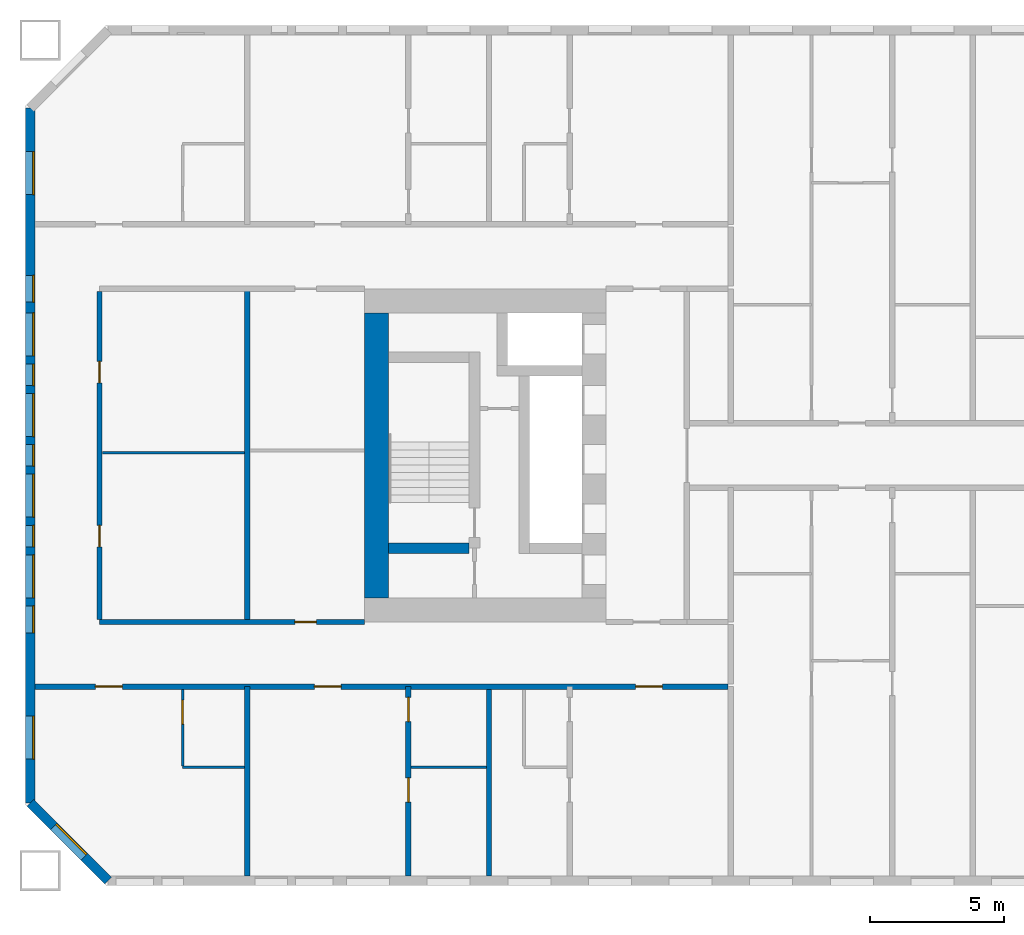
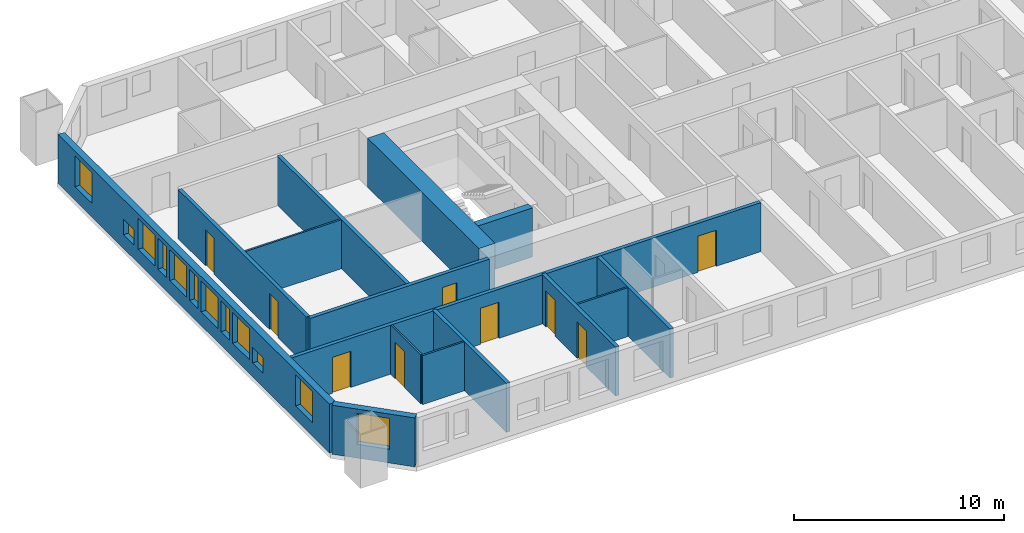
# One storey, part 2 of 17: 15 walls, 12 windows, 9 doors, 21 openings.
"""IFC4 building model written with IfcOpenShell, lengths in metres."""

from ifc_helpers import new_model, si_unit, direction, frame, frame_2d, origin, place, context, subcontext, project, spatial, rectangle, extrude, material, layer, layer_set, type_object, element, fill, save


model = new_model("IFC4")

# Units and contexts
model_context = context("Model", 3, precision=1e-05, world=origin(), true_north=direction((0.0, 1.0)))
body_context = subcontext(model_context, "Body", "Model", "MODEL_VIEW")
ifc_project = project(units=[si_unit("LENGTHUNIT", "METRE"), si_unit("AREAUNIT", "SQUARE_METRE"), si_unit("VOLUMEUNIT", "CUBIC_METRE"), si_unit("PLANEANGLEUNIT", "RADIAN"), si_unit("MASSUNIT", "GRAM", prefix="KILO")], contexts=[model_context])

# Site, building, storey
site_placement = place(None, origin())
site = spatial("IfcSite", under=ifc_project, at=site_placement, CompositionType="ELEMENT")
building_placement = place(site_placement, origin())
building = spatial("IfcBuilding", under=site, at=building_placement, Name="Tuart Gate Housing", CompositionType="ELEMENT")
storey_placement = place(building_placement, frame((0.0, 0.0, 22.60009765625)))
storey = spatial("IfcBuildingStorey", under=building, at=storey_placement, Name="L05", CompositionType="ELEMENT", Elevation=22.60009765625)

# Wall, opening, window
ifc_material_1 = material(Name="Brick", Category="masonry")
ifc_layer_1 = layer(ifc_material_1, 0.360107421875)
ifc_layer_set_1 = layer_set([ifc_layer_1], Name="Brick pier and spandrel wall 360")
wall_type_1 = type_object("IfcWallType", Name="Brick pier and spandrel wall 360", PredefinedType="STANDARD", material=ifc_layer_set_1)
wall_1_placement = place(storey_placement, frame((19.929931640625, 57.07470703125, 0.0), z_axis=(0.0, 0.0, 1.0), x_axis=(0.707106781187, -0.707106781187, 0.0)))
wall_1 = element("IfcWall", 1, at=wall_1_placement, inside=storey, type_object=wall_type_1, Name="External wall A-SW L05", PredefinedType="STANDARD", context=body_context, shape_type="SweptSolid", body=[
    extrude(rectangle(XDim=4.09375, YDim=0.360107421875, at=frame_2d((2.046875, 0.0))), origin(), (0.0, 0.0, 1.0), 2.849853515625),
])
opening_1_placement = place(wall_1_placement, frame((1.2470703125, 0.0, 0.800048828125)))
opening_1 = element("IfcOpeningElement", 2, at=opening_1_placement, cuts=wall_1, Name="Opening W1", PredefinedType="OPENING", context=body_context, shape_type="SweptSolid", body=[
    extrude(rectangle(XDim=1.60009765625, YDim=1.800048828125, at=frame_2d((0.800048828125, 0.89990234375))), frame((0.0, 0.18994140625, 0.0), z_axis=(0.0, -1.0, 0.0), x_axis=(1.0, 0.0, 0.0)), (0.0, 0.0, 1.0), 0.380126953125),
])
ifc_material_2 = material(Name="Aluminium frame with clear glass", Category="aluminium")
window_type_1 = type_object("IfcWindowType", Name="Punched window 1600 x 1800", PartitioningType="SINGLE_PANEL", PredefinedType="WINDOW", material=ifc_material_2)
window_1_placement = place(opening_1_placement, origin())
window_1 = element("IfcWindow", 3, at=window_1_placement, inside=storey, type_object=window_type_1, Name="Window W1", OverallHeight=1.800048828125, OverallWidth=1.60009765625, PartitioningType="SINGLE_PANEL", PredefinedType="WINDOW", context=body_context, shape_type="SweptSolid", body=[
    extrude(rectangle(XDim=1.60009765625, YDim=1.800048828125, at=frame_2d((0.800048828125, 0.89990234375))), frame((0.0, 0.150146484375, 0.0), z_axis=(0.0, -1.0, 0.0), x_axis=(1.0, 0.0, 0.0)), (0.0, 0.0, 1.0), 0.06005859375),
])
fill(opening_1, window_1)

# Wall, openings, windows
wall_2_placement = place(storey_placement, frame((19.929931640625, 82.92529296875, 0.0), z_axis=(0.0, 0.0, 1.0), x_axis=(0.0, -1.0, 0.0)))
wall_2 = element("IfcWall", 4, at=wall_2_placement, inside=storey, type_object=wall_type_1, Name="External wall A-W L05", PredefinedType="STANDARD", context=body_context, shape_type="SweptSolid", body=[
    extrude(rectangle(XDim=25.850830078125, YDim=0.360107421875, at=frame_2d((12.92529296875, 0.0))), origin(), (0.0, 0.0, 1.0), 2.849853515625),
])
opening_2_placement = place(wall_2_placement, frame((1.62548828125, 0.0, 0.800048828125)))
opening_2 = element("IfcOpeningElement", 5, at=opening_2_placement, cuts=wall_2, Name="Opening W1", PredefinedType="OPENING", context=body_context, shape_type="SweptSolid", body=[
    extrude(rectangle(XDim=1.60009765625, YDim=1.800048828125, at=frame_2d((0.800048828125, 0.89990234375))), frame((0.0, 0.18994140625, 0.0), z_axis=(0.0, -1.0, 0.0), x_axis=(1.0, 0.0, 0.0)), (0.0, 0.0, 1.0), 0.380126953125),
])
opening_3_placement = place(wall_2_placement, frame((6.225341796875, 0.0, 0.800048828125)))
opening_3 = element("IfcOpeningElement", 6, at=opening_3_placement, cuts=wall_2, Name="Opening W1U", PredefinedType="OPENING", context=body_context, shape_type="SweptSolid", body=[
    extrude(rectangle(XDim=1.0, YDim=0.89990234375, at=frame_2d((0.5, 0.449951171875))), frame((0.0, 0.18994140625, 0.0), z_axis=(0.0, -1.0, 0.0), x_axis=(1.0, 0.0, 0.0)), (0.0, 0.0, 1.0), 0.380126953125),
])
opening_4_placement = place(wall_2_placement, frame((7.62548828125, 0.0, 0.800048828125)))
opening_4 = element("IfcOpeningElement", 7, at=opening_4_placement, cuts=wall_2, Name="Opening W1", PredefinedType="OPENING", context=body_context, shape_type="SweptSolid", body=[
    extrude(rectangle(XDim=1.60009765625, YDim=1.800048828125, at=frame_2d((0.800048828125, 0.89990234375))), frame((0.0, 0.18994140625, 0.0), z_axis=(0.0, -1.0, 0.0), x_axis=(1.0, 0.0, 0.0)), (0.0, 0.0, 1.0), 0.380126953125),
])
opening_5_placement = place(wall_2_placement, frame((10.62548828125, 0.0, 0.800048828125)))
opening_5 = element("IfcOpeningElement", 8, at=opening_5_placement, cuts=wall_2, Name="Opening W1", PredefinedType="OPENING", context=body_context, shape_type="SweptSolid", body=[
    extrude(rectangle(XDim=1.60009765625, YDim=1.800048828125, at=frame_2d((0.800048828125, 0.89990234375))), frame((0.0, 0.18994140625, 0.0), z_axis=(0.0, -1.0, 0.0), x_axis=(1.0, 0.0, 0.0)), (0.0, 0.0, 1.0), 0.380126953125),
])
opening_6_placement = place(wall_2_placement, frame((13.62548828125, 0.0, 0.800048828125)))
opening_6 = element("IfcOpeningElement", 9, at=opening_6_placement, cuts=wall_2, Name="Opening W1", PredefinedType="OPENING", context=body_context, shape_type="SweptSolid", body=[
    extrude(rectangle(XDim=1.60009765625, YDim=1.800048828125, at=frame_2d((0.800048828125, 0.89990234375))), frame((0.0, 0.18994140625, 0.0), z_axis=(0.0, -1.0, 0.0), x_axis=(1.0, 0.0, 0.0)), (0.0, 0.0, 1.0), 0.380126953125),
])
opening_7_placement = place(wall_2_placement, frame((16.62548828125, 0.0, 0.800048828125)))
opening_7 = element("IfcOpeningElement", 10, at=opening_7_placement, cuts=wall_2, Name="Opening W1", PredefinedType="OPENING", context=body_context, shape_type="SweptSolid", body=[
    extrude(rectangle(XDim=1.60009765625, YDim=1.800048828125, at=frame_2d((0.800048828125, 0.89990234375))), frame((0.0, 0.18994140625, 0.0), z_axis=(0.0, -1.0, 0.0), x_axis=(1.0, 0.0, 0.0)), (0.0, 0.0, 1.0), 0.380126953125),
])
opening_8_placement = place(wall_2_placement, frame((9.525390625, 0.0, 0.800048828125)))
opening_8 = element("IfcOpeningElement", 11, at=opening_8_placement, cuts=wall_2, Name="Opening W1D", PredefinedType="OPENING", context=body_context, shape_type="SweptSolid", body=[
    extrude(rectangle(XDim=0.800048828125, YDim=1.800048828125, at=frame_2d((0.39990234375, 0.89990234375))), frame((0.0, 0.18994140625, 0.0), z_axis=(0.0, -1.0, 0.0), x_axis=(1.0, 0.0, 0.0)), (0.0, 0.0, 1.0), 0.380126953125),
])
opening_9_placement = place(wall_2_placement, frame((22.62548828125, 0.0, 0.800048828125)))
opening_9 = element("IfcOpeningElement", 12, at=opening_9_placement, cuts=wall_2, Name="Opening W1", PredefinedType="OPENING", context=body_context, shape_type="SweptSolid", body=[
    extrude(rectangle(XDim=1.60009765625, YDim=1.800048828125, at=frame_2d((0.800048828125, 0.89990234375))), frame((0.0, 0.18994140625, 0.0), z_axis=(0.0, -1.0, 0.0), x_axis=(1.0, 0.0, 0.0)), (0.0, 0.0, 1.0), 0.380126953125),
])
opening_10_placement = place(wall_2_placement, frame((12.525390625, 0.0, 0.800048828125)))
opening_10 = element("IfcOpeningElement", 13, at=opening_10_placement, cuts=wall_2, Name="Opening W1D", PredefinedType="OPENING", context=body_context, shape_type="SweptSolid", body=[
    extrude(rectangle(XDim=0.800048828125, YDim=1.800048828125, at=frame_2d((0.39990234375, 0.89990234375))), frame((0.0, 0.18994140625, 0.0), z_axis=(0.0, -1.0, 0.0), x_axis=(1.0, 0.0, 0.0)), (0.0, 0.0, 1.0), 0.380126953125),
])
opening_11_placement = place(wall_2_placement, frame((15.525390625, 0.0, 0.800048828125)))
opening_11 = element("IfcOpeningElement", 14, at=opening_11_placement, cuts=wall_2, Name="Opening W1D", PredefinedType="OPENING", context=body_context, shape_type="SweptSolid", body=[
    extrude(rectangle(XDim=0.800048828125, YDim=1.800048828125, at=frame_2d((0.39990234375, 0.89990234375))), frame((0.0, 0.18994140625, 0.0), z_axis=(0.0, -1.0, 0.0), x_axis=(1.0, 0.0, 0.0)), (0.0, 0.0, 1.0), 0.380126953125),
])
opening_12_placement = place(wall_2_placement, frame((18.525390625, 0.0, 0.800048828125)))
opening_12 = element("IfcOpeningElement", 15, at=opening_12_placement, cuts=wall_2, Name="Opening W1U", PredefinedType="OPENING", context=body_context, shape_type="SweptSolid", body=[
    extrude(rectangle(XDim=1.0, YDim=0.89990234375, at=frame_2d((0.5, 0.449951171875))), frame((0.0, 0.18994140625, 0.0), z_axis=(0.0, -1.0, 0.0), x_axis=(1.0, 0.0, 0.0)), (0.0, 0.0, 1.0), 0.380126953125),
])
ifc_material_3 = material(Name="Aluminium frame with clear glass", Category="aluminium")
window_type_2 = type_object("IfcWindowType", Name="Punched window 1000 x 900", PartitioningType="SINGLE_PANEL", PredefinedType="WINDOW", material=ifc_material_3)
window_2_placement = place(opening_3_placement, origin())
window_2 = element("IfcWindow", 16, at=window_2_placement, inside=storey, type_object=window_type_2, Name="Window W1U", OverallHeight=0.89990234375, OverallWidth=1.0, PartitioningType="SINGLE_PANEL", PredefinedType="WINDOW", context=body_context, shape_type="SweptSolid", body=[
    extrude(rectangle(XDim=1.0, YDim=0.89990234375, at=frame_2d((0.5, 0.449951171875))), frame((0.0, 0.150146484375, 0.0), z_axis=(0.0, -1.0, 0.0), x_axis=(1.0, 0.0, 0.0)), (0.0, 0.0, 1.0), 0.06005859375),
])
fill(opening_3, window_2)
window_3_placement = place(opening_12_placement, origin())
window_3 = element("IfcWindow", 17, at=window_3_placement, inside=storey, type_object=window_type_2, Name="Window W1U", OverallHeight=0.89990234375, OverallWidth=1.0, PartitioningType="SINGLE_PANEL", PredefinedType="WINDOW", context=body_context, shape_type="SweptSolid", body=[
    extrude(rectangle(XDim=1.0, YDim=0.89990234375, at=frame_2d((0.5, 0.449951171875))), frame((0.0, 0.150146484375, 0.0), z_axis=(0.0, -1.0, 0.0), x_axis=(1.0, 0.0, 0.0)), (0.0, 0.0, 1.0), 0.06005859375),
])
fill(opening_12, window_3)
window_4_placement = place(opening_2_placement, origin())
window_4 = element("IfcWindow", 18, at=window_4_placement, inside=storey, type_object=window_type_1, Name="Window W1", OverallHeight=1.800048828125, OverallWidth=1.60009765625, PartitioningType="SINGLE_PANEL", PredefinedType="WINDOW", context=body_context, shape_type="SweptSolid", body=[
    extrude(rectangle(XDim=1.60009765625, YDim=1.800048828125, at=frame_2d((0.800048828125, 0.89990234375))), frame((0.0, 0.150146484375, 0.0), z_axis=(0.0, -1.0, 0.0), x_axis=(1.0, 0.0, 0.0)), (0.0, 0.0, 1.0), 0.06005859375),
])
fill(opening_2, window_4)
window_5_placement = place(opening_4_placement, origin())
window_5 = element("IfcWindow", 19, at=window_5_placement, inside=storey, type_object=window_type_1, Name="Window W1", OverallHeight=1.800048828125, OverallWidth=1.60009765625, PartitioningType="SINGLE_PANEL", PredefinedType="WINDOW", context=body_context, shape_type="SweptSolid", body=[
    extrude(rectangle(XDim=1.60009765625, YDim=1.800048828125, at=frame_2d((0.800048828125, 0.89990234375))), frame((0.0, 0.150146484375, 0.0), z_axis=(0.0, -1.0, 0.0), x_axis=(1.0, 0.0, 0.0)), (0.0, 0.0, 1.0), 0.06005859375),
])
fill(opening_4, window_5)
window_6_placement = place(opening_5_placement, origin())
window_6 = element("IfcWindow", 20, at=window_6_placement, inside=storey, type_object=window_type_1, Name="Window W1", OverallHeight=1.800048828125, OverallWidth=1.60009765625, PartitioningType="SINGLE_PANEL", PredefinedType="WINDOW", context=body_context, shape_type="SweptSolid", body=[
    extrude(rectangle(XDim=1.60009765625, YDim=1.800048828125, at=frame_2d((0.800048828125, 0.89990234375))), frame((0.0, 0.150146484375, 0.0), z_axis=(0.0, -1.0, 0.0), x_axis=(1.0, 0.0, 0.0)), (0.0, 0.0, 1.0), 0.06005859375),
])
fill(opening_5, window_6)
window_7_placement = place(opening_6_placement, origin())
window_7 = element("IfcWindow", 21, at=window_7_placement, inside=storey, type_object=window_type_1, Name="Window W1", OverallHeight=1.800048828125, OverallWidth=1.60009765625, PartitioningType="SINGLE_PANEL", PredefinedType="WINDOW", context=body_context, shape_type="SweptSolid", body=[
    extrude(rectangle(XDim=1.60009765625, YDim=1.800048828125, at=frame_2d((0.800048828125, 0.89990234375))), frame((0.0, 0.150146484375, 0.0), z_axis=(0.0, -1.0, 0.0), x_axis=(1.0, 0.0, 0.0)), (0.0, 0.0, 1.0), 0.06005859375),
])
fill(opening_6, window_7)
window_8_placement = place(opening_7_placement, origin())
window_8 = element("IfcWindow", 22, at=window_8_placement, inside=storey, type_object=window_type_1, Name="Window W1", OverallHeight=1.800048828125, OverallWidth=1.60009765625, PartitioningType="SINGLE_PANEL", PredefinedType="WINDOW", context=body_context, shape_type="SweptSolid", body=[
    extrude(rectangle(XDim=1.60009765625, YDim=1.800048828125, at=frame_2d((0.800048828125, 0.89990234375))), frame((0.0, 0.150146484375, 0.0), z_axis=(0.0, -1.0, 0.0), x_axis=(1.0, 0.0, 0.0)), (0.0, 0.0, 1.0), 0.06005859375),
])
fill(opening_7, window_8)
window_9_placement = place(opening_9_placement, origin())
window_9 = element("IfcWindow", 23, at=window_9_placement, inside=storey, type_object=window_type_1, Name="Window W1", OverallHeight=1.800048828125, OverallWidth=1.60009765625, PartitioningType="SINGLE_PANEL", PredefinedType="WINDOW", context=body_context, shape_type="SweptSolid", body=[
    extrude(rectangle(XDim=1.60009765625, YDim=1.800048828125, at=frame_2d((0.800048828125, 0.89990234375))), frame((0.0, 0.150146484375, 0.0), z_axis=(0.0, -1.0, 0.0), x_axis=(1.0, 0.0, 0.0)), (0.0, 0.0, 1.0), 0.06005859375),
])
fill(opening_9, window_9)
ifc_material_4 = material(Name="Aluminium frame with clear glass", Category="aluminium")
window_type_3 = type_object("IfcWindowType", Name="Punched window 800 x 1800", PartitioningType="SINGLE_PANEL", PredefinedType="WINDOW", material=ifc_material_4)
window_10_placement = place(opening_8_placement, origin())
window_10 = element("IfcWindow", 24, at=window_10_placement, inside=storey, type_object=window_type_3, Name="Window W1D", OverallHeight=1.800048828125, OverallWidth=0.800048828125, PartitioningType="SINGLE_PANEL", PredefinedType="WINDOW", context=body_context, shape_type="SweptSolid", body=[
    extrude(rectangle(XDim=0.800048828125, YDim=1.800048828125, at=frame_2d((0.39990234375, 0.89990234375))), frame((0.0, 0.150146484375, 0.0), z_axis=(0.0, -1.0, 0.0), x_axis=(1.0, 0.0, 0.0)), (0.0, 0.0, 1.0), 0.06005859375),
])
fill(opening_8, window_10)
window_11_placement = place(opening_10_placement, origin())
window_11 = element("IfcWindow", 25, at=window_11_placement, inside=storey, type_object=window_type_3, Name="Window W1D", OverallHeight=1.800048828125, OverallWidth=0.800048828125, PartitioningType="SINGLE_PANEL", PredefinedType="WINDOW", context=body_context, shape_type="SweptSolid", body=[
    extrude(rectangle(XDim=0.800048828125, YDim=1.800048828125, at=frame_2d((0.39990234375, 0.89990234375))), frame((0.0, 0.150146484375, 0.0), z_axis=(0.0, -1.0, 0.0), x_axis=(1.0, 0.0, 0.0)), (0.0, 0.0, 1.0), 0.06005859375),
])
fill(opening_10, window_11)
window_12_placement = place(opening_11_placement, origin())
window_12 = element("IfcWindow", 26, at=window_12_placement, inside=storey, type_object=window_type_3, Name="Window W1D", OverallHeight=1.800048828125, OverallWidth=0.800048828125, PartitioningType="SINGLE_PANEL", PredefinedType="WINDOW", context=body_context, shape_type="SweptSolid", body=[
    extrude(rectangle(XDim=0.800048828125, YDim=1.800048828125, at=frame_2d((0.39990234375, 0.89990234375))), frame((0.0, 0.150146484375, 0.0), z_axis=(0.0, -1.0, 0.0), x_axis=(1.0, 0.0, 0.0)), (0.0, 0.0, 1.0), 0.06005859375),
])
fill(opening_11, window_12)

# Walls
ifc_material_5 = material(Name="Concrete C60", Category="concrete")
ifc_layer_2 = layer(ifc_material_5, 0.39990234375)
ifc_layer_set_2 = layer_set([ifc_layer_2], Name="Core wall 400 C60")
wall_type_2 = type_object("IfcWallType", Name="Core wall 400 C60", PredefinedType="SHEAR", material=ifc_layer_set_2)
wall_3_placement = place(storey_placement, frame((36.260009765625, 66.550048828125, 0.0), z_axis=(0.0, 0.0, 1.0), x_axis=(-1.0, 0.0, 0.0)))
element("IfcWall", 27, at=wall_3_placement, inside=storey, type_object=wall_type_2, Name="Core wall AK.5", PredefinedType="SHEAR", context=body_context, shape_type="SweptSolid", body=[
    extrude(rectangle(XDim=3.0, YDim=0.39990234375, at=frame_2d((1.5, 0.0))), origin(), (0.0, 0.0, 1.0), 2.849853515625),
])
ifc_material_6 = material(Name="Concrete C60", Category="concrete")
ifc_layer_3 = layer(ifc_material_6, 0.89990234375)
ifc_layer_set_3 = layer_set([ifc_layer_3], Name="Core wall 900 C60")
wall_type_3 = type_object("IfcWallType", Name="Core wall 900 C60", PredefinedType="SHEAR", material=ifc_layer_set_3)
wall_4_placement = place(storey_placement, frame((32.81005859375, 75.300048828125, 0.0), z_axis=(0.0, 0.0, 1.0), x_axis=(0.0, -1.0, 0.0)))
element("IfcWall", 28, at=wall_4_placement, inside=storey, type_object=wall_type_3, Name="Core wall AK back", PredefinedType="SHEAR", context=body_context, shape_type="SweptSolid", body=[
    extrude(rectangle(XDim=10.60009765625, YDim=0.89990234375, at=frame_2d((5.300048828125, 0.0))), origin(), (0.0, 0.0, 1.0), 2.849853515625),
])

# Wall, openings, doors
ifc_material_7 = material(Name="Concrete masonry 15 MPa", Category="masonry")
ifc_layer_4 = layer(ifc_material_7, 0.199951171875)
ifc_layer_set_4 = layer_set([ifc_layer_4], Name="Corridor wall masonry 200")
wall_type_4 = type_object("IfcWallType", Name="Corridor wall masonry 200", PredefinedType="PARTITIONING", material=ifc_layer_set_4)
wall_5_placement = place(storey_placement, frame((20.110107421875, 61.39990234375, 0.0), z_axis=(0.0, 0.0, 1.0), x_axis=(1.0, 0.0, 0.0)))
wall_5 = element("IfcWall", 29, at=wall_5_placement, inside=storey, type_object=wall_type_4, Name="Corridor wall masonry 200", PredefinedType="PARTITIONING", context=body_context, shape_type="SweptSolid", body=[
    extrude(rectangle(XDim=25.789794921875, YDim=0.199951171875, at=frame_2d((12.89501953125, 0.0))), origin(), (0.0, 0.0, 1.0), 2.849853515625),
])
opening_13_placement = place(wall_5_placement, frame((22.340087890625, 0.0, 0.0)))
opening_13 = element("IfcOpeningElement", 30, at=opening_13_placement, cuts=wall_5, Name="Opening D397", PredefinedType="OPENING", context=body_context, shape_type="SweptSolid", body=[
    extrude(rectangle(XDim=1.0, YDim=2.10009765625, at=frame_2d((0.5, 1.050048828125))), frame((0.0, 0.10986328125, 0.0), z_axis=(0.0, -1.0, 0.0), x_axis=(1.0, 0.0, 0.0)), (0.0, 0.0, 1.0), 0.219970703125),
])
opening_14_placement = place(wall_5_placement, frame((10.389892578125, 0.0, 0.0)))
opening_14 = element("IfcOpeningElement", 31, at=opening_14_placement, cuts=wall_5, Name="Opening D398", PredefinedType="OPENING", context=body_context, shape_type="SweptSolid", body=[
    extrude(rectangle(XDim=1.0, YDim=2.10009765625, at=frame_2d((0.5, 1.050048828125))), frame((0.0, 0.10986328125, 0.0), z_axis=(0.0, -1.0, 0.0), x_axis=(1.0, 0.0, 0.0)), (0.0, 0.0, 1.0), 0.219970703125),
])
opening_15_placement = place(wall_5_placement, frame((2.2451171875, 0.0, 0.0)))
opening_15 = element("IfcOpeningElement", 32, at=opening_15_placement, cuts=wall_5, Name="Opening D399", PredefinedType="OPENING", context=body_context, shape_type="SweptSolid", body=[
    extrude(rectangle(XDim=1.0, YDim=2.10009765625, at=frame_2d((0.5, 1.050048828125))), frame((0.0, 0.10986328125, 0.0), z_axis=(0.0, -1.0, 0.0), x_axis=(1.0, 0.0, 0.0)), (0.0, 0.0, 1.0), 0.219970703125),
])
ifc_material_8 = material(Name="Timber door leaf in steel frame", Category="steel")
door_type_1 = type_object("IfcDoorType", Name="Flat entrance door 1000 RH", OperationType="SINGLE_SWING_RIGHT", PredefinedType="DOOR", material=ifc_material_8)
door_1_placement = place(opening_13_placement, frame((1.0, 0.0, 0.0), z_axis=(0.0, 0.0, 1.0), x_axis=(-1.0, 0.0, 0.0)))
door_1 = element("IfcDoor", 33, at=door_1_placement, inside=storey, type_object=door_type_1, Name="Flat entrance door", OperationType="SINGLE_SWING_RIGHT", OverallHeight=2.10009765625, OverallWidth=1.0, PredefinedType="DOOR", context=body_context, shape_type="SweptSolid", body=[
    extrude(rectangle(XDim=1.0, YDim=2.10009765625, at=frame_2d((0.5, 1.050048828125))), frame((0.0, 0.025146484375, 0.0), z_axis=(0.0, -1.0, 0.0), x_axis=(1.0, 0.0, 0.0)), (0.0, 0.0, 1.0), 0.050048828125),
])
fill(opening_13, door_1)
door_2_placement = place(opening_14_placement, frame((1.0, 0.0, 0.0), z_axis=(0.0, 0.0, 1.0), x_axis=(-1.0, 0.0, 0.0)))
door_2 = element("IfcDoor", 34, at=door_2_placement, inside=storey, type_object=door_type_1, Name="Flat entrance door", OperationType="SINGLE_SWING_RIGHT", OverallHeight=2.10009765625, OverallWidth=1.0, PredefinedType="DOOR", context=body_context, shape_type="SweptSolid", body=[
    extrude(rectangle(XDim=1.0, YDim=2.10009765625, at=frame_2d((0.5, 1.050048828125))), frame((0.0, 0.025146484375, 0.0), z_axis=(0.0, -1.0, 0.0), x_axis=(1.0, 0.0, 0.0)), (0.0, 0.0, 1.0), 0.050048828125),
])
fill(opening_14, door_2)
door_3_placement = place(opening_15_placement, frame((1.0, 0.0, 0.0), z_axis=(0.0, 0.0, 1.0), x_axis=(-1.0, 0.0, 0.0)))
door_3 = element("IfcDoor", 35, at=door_3_placement, inside=storey, type_object=door_type_1, Name="Flat entrance door", OperationType="SINGLE_SWING_RIGHT", OverallHeight=2.10009765625, OverallWidth=1.0, PredefinedType="DOOR", context=body_context, shape_type="SweptSolid", body=[
    extrude(rectangle(XDim=1.0, YDim=2.10009765625, at=frame_2d((0.5, 1.050048828125))), frame((0.0, 0.025146484375, 0.0), z_axis=(0.0, -1.0, 0.0), x_axis=(1.0, 0.0, 0.0)), (0.0, 0.0, 1.0), 0.050048828125),
])
fill(opening_15, door_3)

# Wall, opening, door
wall_6_placement = place(storey_placement, frame((22.510009765625, 63.800048828125, 0.0), z_axis=(0.0, 0.0, 1.0), x_axis=(1.0, 0.0, 0.0)))
wall_6 = element("IfcWall", 36, at=wall_6_placement, inside=storey, type_object=wall_type_4, Name="Corridor wall masonry 200", PredefinedType="PARTITIONING", context=body_context, shape_type="SweptSolid", body=[
    extrude(rectangle(XDim=9.85009765625, YDim=0.199951171875, at=frame_2d((4.925048828125, 0.0))), origin(), (0.0, 0.0, 1.0), 2.849853515625),
])
opening_16_placement = place(wall_6_placement, frame((7.27001953125, 0.0, 0.0)))
opening_16 = element("IfcOpeningElement", 37, at=opening_16_placement, cuts=wall_6, Name="Opening D384", PredefinedType="OPENING", context=body_context, shape_type="SweptSolid", body=[
    extrude(rectangle(XDim=0.800048828125, YDim=2.10009765625, at=frame_2d((0.39990234375, 1.050048828125))), frame((0.0, 0.10986328125, 0.0), z_axis=(0.0, -1.0, 0.0), x_axis=(1.0, 0.0, 0.0)), (0.0, 0.0, 1.0), 0.219970703125),
])
ifc_material_9 = material(Name="Timber door leaf in steel frame", Category="steel")
door_type_2 = type_object("IfcDoorType", Name="Store door 800", OperationType="SINGLE_SWING_LEFT", PredefinedType="DOOR", material=ifc_material_9)
door_4_placement = place(opening_16_placement, origin())
door_4 = element("IfcDoor", 38, at=door_4_placement, inside=storey, type_object=door_type_2, Name="Store door", OperationType="SINGLE_SWING_LEFT", OverallHeight=2.10009765625, OverallWidth=0.800048828125, PredefinedType="DOOR", context=body_context, shape_type="SweptSolid", body=[
    extrude(rectangle(XDim=0.800048828125, YDim=2.10009765625, at=frame_2d((0.39990234375, 1.050048828125))), frame((0.0, 0.02490234375, 0.0), z_axis=(0.0, -1.0, 0.0), x_axis=(1.0, 0.0, 0.0)), (0.0, 0.0, 1.0), 0.050048828125),
])
fill(opening_16, door_4)

# Wall, openings, doors
wall_7_placement = place(storey_placement, frame((22.510009765625, 63.89990234375, 0.0), z_axis=(0.0, 0.0, 1.0), x_axis=(0.0, 1.0, 0.0)))
wall_7 = element("IfcWall", 39, at=wall_7_placement, inside=storey, type_object=wall_type_4, Name="Corridor wall masonry 200", PredefinedType="PARTITIONING", context=body_context, shape_type="SweptSolid", body=[
    extrude(rectangle(XDim=12.2001953125, YDim=0.199951171875, at=frame_2d((6.10009765625, 0.0))), origin(), (0.0, 0.0, 1.0), 2.849853515625),
])
opening_17_placement = place(wall_7_placement, frame((2.699951171875, 0.0, 0.0)))
opening_17 = element("IfcOpeningElement", 40, at=opening_17_placement, cuts=wall_7, Name="Opening D373", PredefinedType="OPENING", context=body_context, shape_type="SweptSolid", body=[
    extrude(rectangle(XDim=0.800048828125, YDim=2.10009765625, at=frame_2d((0.39990234375, 1.050048828125))), frame((0.0, 0.10986328125, 0.0), z_axis=(0.0, -1.0, 0.0), x_axis=(1.0, 0.0, 0.0)), (0.0, 0.0, 1.0), 0.219970703125),
])
opening_18_placement = place(wall_7_placement, frame((8.800048828125, 0.0, 0.0)))
opening_18 = element("IfcOpeningElement", 41, at=opening_18_placement, cuts=wall_7, Name="Opening D374", PredefinedType="OPENING", context=body_context, shape_type="SweptSolid", body=[
    extrude(rectangle(XDim=0.800048828125, YDim=2.10009765625, at=frame_2d((0.39990234375, 1.050048828125))), frame((0.0, 0.10986328125, 0.0), z_axis=(0.0, -1.0, 0.0), x_axis=(1.0, 0.0, 0.0)), (0.0, 0.0, 1.0), 0.219970703125),
])
door_5_placement = place(opening_17_placement, frame((0.800048828125, 0.0, 0.0), z_axis=(0.0, 0.0, 1.0), x_axis=(-1.0, 0.0, 0.0)))
door_5 = element("IfcDoor", 42, at=door_5_placement, inside=storey, type_object=door_type_2, Name="Store door", OperationType="SINGLE_SWING_LEFT", OverallHeight=2.10009765625, OverallWidth=0.800048828125, PredefinedType="DOOR", context=body_context, shape_type="SweptSolid", body=[
    extrude(rectangle(XDim=0.800048828125, YDim=2.10009765625, at=frame_2d((0.400146484375, 1.050048828125))), frame((0.0, 0.025146484375, 0.0), z_axis=(0.0, -1.0, 0.0), x_axis=(1.0, 0.0, 0.0)), (0.0, 0.0, 1.0), 0.050048828125),
])
fill(opening_17, door_5)
ifc_material_10 = material(Name="Timber door leaf in steel frame", Category="steel")
door_type_3 = type_object("IfcDoorType", Name="Store door 800 RH", OperationType="SINGLE_SWING_RIGHT", PredefinedType="DOOR", material=ifc_material_10)
door_6_placement = place(opening_18_placement, frame((0.800048828125, 0.0, 0.0), z_axis=(0.0, 0.0, 1.0), x_axis=(-1.0, 0.0, 0.0)))
door_6 = element("IfcDoor", 43, at=door_6_placement, inside=storey, type_object=door_type_3, Name="Store door", OperationType="SINGLE_SWING_RIGHT", OverallHeight=2.10009765625, OverallWidth=0.800048828125, PredefinedType="DOOR", context=body_context, shape_type="SweptSolid", body=[
    extrude(rectangle(XDim=0.800048828125, YDim=2.10009765625, at=frame_2d((0.400146484375, 1.050048828125))), frame((0.0, 0.025146484375, 0.0), z_axis=(0.0, -1.0, 0.0), x_axis=(1.0, 0.0, 0.0)), (0.0, 0.0, 1.0), 0.050048828125),
])
fill(opening_18, door_6)

# Walls
ifc_material_11 = material(Name="Gypsum board on steel studs", Category="steel")
ifc_layer_5 = layer(ifc_material_11, 0.10009765625)
ifc_layer_set_5 = layer_set([ifc_layer_5], Name="Partition 100")
wall_type_5 = type_object("IfcWallType", Name="Partition 100", PredefinedType="PARTITIONING", material=ifc_layer_set_5)
wall_8_placement = place(storey_placement, frame((25.60009765625, 58.39990234375, 0.0), z_axis=(0.0, 0.0, 1.0), x_axis=(1.0, 0.0, 0.0)))
element("IfcWall", 44, at=wall_8_placement, inside=storey, type_object=wall_type_5, Name="Partition 100", PredefinedType="PARTITIONING", context=body_context, shape_type="SweptSolid", body=[
    extrude(rectangle(XDim=2.2998046875, YDim=0.10009765625, at=frame_2d((1.14990234375, 0.0))), origin(), (0.0, 0.0, 1.0), 2.849853515625),
])
wall_9_placement = place(storey_placement, frame((34.10009765625, 58.39990234375, 0.0), z_axis=(0.0, 0.0, 1.0), x_axis=(1.0, 0.0, 0.0)))
element("IfcWall", 45, at=wall_9_placement, inside=storey, type_object=wall_type_5, Name="Partition 100", PredefinedType="PARTITIONING", context=body_context, shape_type="SweptSolid", body=[
    extrude(rectangle(XDim=2.7998046875, YDim=0.10009765625, at=frame_2d((1.39990234375, 0.0))), origin(), (0.0, 0.0, 1.0), 2.849853515625),
])
wall_10_placement = place(storey_placement, frame((22.610107421875, 70.10009765625, 0.0), z_axis=(0.0, 0.0, 1.0), x_axis=(1.0, 0.0, 0.0)))
element("IfcWall", 46, at=wall_10_placement, inside=storey, type_object=wall_type_5, Name="Partition 100", PredefinedType="PARTITIONING", context=body_context, shape_type="SweptSolid", body=[
    extrude(rectangle(XDim=5.289794921875, YDim=0.10009765625, at=frame_2d((2.64501953125, 0.0))), origin(), (0.0, 0.0, 1.0), 2.849853515625),
])

# Wall, opening, door
wall_11_placement = place(storey_placement, frame((25.60009765625, 58.449951171875, 0.0), z_axis=(0.0, 0.0, 1.0), x_axis=(0.0, 1.0, 0.0)))
wall_11 = element("IfcWall", 47, at=wall_11_placement, inside=storey, type_object=wall_type_5, Name="Partition 100", PredefinedType="PARTITIONING", context=body_context, shape_type="SweptSolid", body=[
    extrude(rectangle(XDim=2.85009765625, YDim=0.10009765625, at=frame_2d((1.425048828125, 0.0))), origin(), (0.0, 0.0, 1.0), 2.849853515625),
])
opening_19_placement = place(wall_11_placement, frame((1.550048828125, 0.0, 0.0)))
opening_19 = element("IfcOpeningElement", 48, at=opening_19_placement, cuts=wall_11, Name="Opening D402", PredefinedType="OPENING", context=body_context, shape_type="SweptSolid", body=[
    extrude(rectangle(XDim=0.89990234375, YDim=2.10009765625, at=frame_2d((0.449951171875, 1.050048828125))), frame((0.0, 0.06005859375, 0.0), z_axis=(0.0, -1.0, 0.0), x_axis=(1.0, 0.0, 0.0)), (0.0, 0.0, 1.0), 0.1201171875),
])
ifc_material_12 = material(Name="Timber door leaf in steel frame", Category="steel")
door_type_4 = type_object("IfcDoorType", Name="Bathroom door 900", OperationType="SINGLE_SWING_LEFT", PredefinedType="DOOR", material=ifc_material_12)
door_7_placement = place(opening_19_placement, frame((0.89990234375, 0.0, 0.0), z_axis=(0.0, 0.0, 1.0), x_axis=(-1.0, 0.0, 0.0)))
door_7 = element("IfcDoor", 49, at=door_7_placement, inside=storey, type_object=door_type_4, Name="Bathroom door", OperationType="SINGLE_SWING_LEFT", OverallHeight=2.10009765625, OverallWidth=0.89990234375, PredefinedType="DOOR", context=body_context, shape_type="SweptSolid", body=[
    extrude(rectangle(XDim=0.89990234375, YDim=2.10009765625, at=frame_2d((0.449951171875, 1.050048828125))), frame((0.0, 0.025146484375, 0.0), z_axis=(0.0, -1.0, 0.0), x_axis=(1.0, 0.0, 0.0)), (0.0, 0.0, 1.0), 0.050048828125),
])
fill(opening_19, door_7)

# Walls
ifc_material_13 = material(Name="Concrete C40", Category="concrete")
ifc_layer_6 = layer(ifc_material_13, 0.199951171875)
ifc_layer_set_6 = layer_set([ifc_layer_6], Name="Party wall concrete C40 200")
wall_type_6 = type_object("IfcWallType", Name="Party wall concrete C40 200", PredefinedType="SOLIDWALL", material=ifc_layer_set_6)
wall_12_placement = place(storey_placement, frame((28.0, 54.360107421875, 0.0), z_axis=(0.0, 0.0, 1.0), x_axis=(0.0, 1.0, 0.0)))
element("IfcWall", 50, at=wall_12_placement, inside=storey, type_object=wall_type_6, Name="Party wall concrete C40 200", PredefinedType="SOLIDWALL", context=body_context, shape_type="SweptSolid", body=[
    extrude(rectangle(XDim=7.039794921875, YDim=0.199951171875, at=frame_2d((3.52001953125, 0.0))), origin(), (0.0, 0.0, 1.0), 2.849853515625),
])
wall_13_placement = place(storey_placement, frame((28.0, 63.800048828125, 0.0), z_axis=(0.0, 0.0, 1.0), x_axis=(0.0, 1.0, 0.0)))
element("IfcWall", 51, at=wall_13_placement, inside=storey, type_object=wall_type_6, Name="Party wall concrete C40 200", PredefinedType="SOLIDWALL", context=body_context, shape_type="SweptSolid", body=[
    extrude(rectangle(XDim=12.39990234375, YDim=0.199951171875, at=frame_2d((6.199951171875, 0.0))), origin(), (0.0, 0.0, 1.0), 2.849853515625),
])

# Wall, openings, doors
wall_14_placement = place(storey_placement, frame((34.0, 54.360107421875, 0.0), z_axis=(0.0, 0.0, 1.0), x_axis=(0.0, 1.0, 0.0)))
wall_14 = element("IfcWall", 52, at=wall_14_placement, inside=storey, type_object=wall_type_6, Name="Party wall concrete C40 200", PredefinedType="SOLIDWALL", context=body_context, shape_type="SweptSolid", body=[
    extrude(rectangle(XDim=7.039794921875, YDim=0.199951171875, at=frame_2d((3.52001953125, 0.0))), origin(), (0.0, 0.0, 1.0), 2.849853515625),
])
opening_20_placement = place(wall_14_placement, frame((2.739990234375, 0.0, 0.0)))
opening_20 = element("IfcOpeningElement", 53, at=opening_20_placement, cuts=wall_14, Name="Opening D406", PredefinedType="OPENING", context=body_context, shape_type="SweptSolid", body=[
    extrude(rectangle(XDim=0.89990234375, YDim=2.10009765625, at=frame_2d((0.449951171875, 1.050048828125))), frame((0.0, 0.10986328125, 0.0), z_axis=(0.0, -1.0, 0.0), x_axis=(1.0, 0.0, 0.0)), (0.0, 0.0, 1.0), 0.219970703125),
])
opening_21_placement = place(wall_14_placement, frame((5.739990234375, 0.0, 0.0)))
opening_21 = element("IfcOpeningElement", 54, at=opening_21_placement, cuts=wall_14, Name="Opening D405", PredefinedType="OPENING", context=body_context, shape_type="SweptSolid", body=[
    extrude(rectangle(XDim=0.89990234375, YDim=2.10009765625, at=frame_2d((0.449951171875, 1.050048828125))), frame((0.0, 0.10986328125, 0.0), z_axis=(0.0, -1.0, 0.0), x_axis=(1.0, 0.0, 0.0)), (0.0, 0.0, 1.0), 0.219970703125),
])
door_8_placement = place(opening_21_placement, frame((0.89990234375, 0.0, 0.0), z_axis=(0.0, 0.0, 1.0), x_axis=(-1.0, 0.0, 0.0)))
door_8 = element("IfcDoor", 55, at=door_8_placement, inside=storey, type_object=door_type_4, Name="Bathroom door", OperationType="SINGLE_SWING_LEFT", OverallHeight=2.10009765625, OverallWidth=0.89990234375, PredefinedType="DOOR", context=body_context, shape_type="SweptSolid", body=[
    extrude(rectangle(XDim=0.89990234375, YDim=2.10009765625, at=frame_2d((0.449951171875, 1.050048828125))), frame((0.0, 0.025146484375, 0.0), z_axis=(0.0, -1.0, 0.0), x_axis=(1.0, 0.0, 0.0)), (0.0, 0.0, 1.0), 0.050048828125),
])
fill(opening_21, door_8)
ifc_material_14 = material(Name="Timber door leaf in steel frame", Category="steel")
door_type_5 = type_object("IfcDoorType", Name="Internal door 900", OperationType="SINGLE_SWING_LEFT", PredefinedType="DOOR", material=ifc_material_14)
door_9_placement = place(opening_20_placement, frame((0.89990234375, 0.0, 0.0), z_axis=(0.0, 0.0, 1.0), x_axis=(-1.0, 0.0, 0.0)))
door_9 = element("IfcDoor", 56, at=door_9_placement, inside=storey, type_object=door_type_5, Name="Internal door", OperationType="SINGLE_SWING_LEFT", OverallHeight=2.10009765625, OverallWidth=0.89990234375, PredefinedType="DOOR", context=body_context, shape_type="SweptSolid", body=[
    extrude(rectangle(XDim=0.89990234375, YDim=2.10009765625, at=frame_2d((0.449951171875, 1.050048828125))), frame((0.0, 0.025146484375, 0.0), z_axis=(0.0, -1.0, 0.0), x_axis=(1.0, 0.0, 0.0)), (0.0, 0.0, 1.0), 0.050048828125),
])
fill(opening_20, door_9)

# Wall
ifc_material_15 = material(Name="Concrete masonry 15 MPa", Category="masonry")
ifc_layer_7 = layer(ifc_material_15, 0.199951171875)
ifc_layer_set_7 = layer_set([ifc_layer_7], Name="Party wall masonry 200")
wall_type_7 = type_object("IfcWallType", Name="Party wall masonry 200", PredefinedType="PARTITIONING", material=ifc_layer_set_7)
wall_15_placement = place(storey_placement, frame((37.0, 54.360107421875, 0.0), z_axis=(0.0, 0.0, 1.0), x_axis=(0.0, 1.0, 0.0)))
element("IfcWall", 57, at=wall_15_placement, inside=storey, type_object=wall_type_7, Name="Party wall masonry 200", PredefinedType="PARTITIONING", context=body_context, shape_type="SweptSolid", body=[
    extrude(rectangle(XDim=6.93994140625, YDim=0.199951171875, at=frame_2d((3.469970703125, 0.0))), origin(), (0.0, 0.0, 1.0), 2.849853515625),
])

save(model, "model.ifc")
